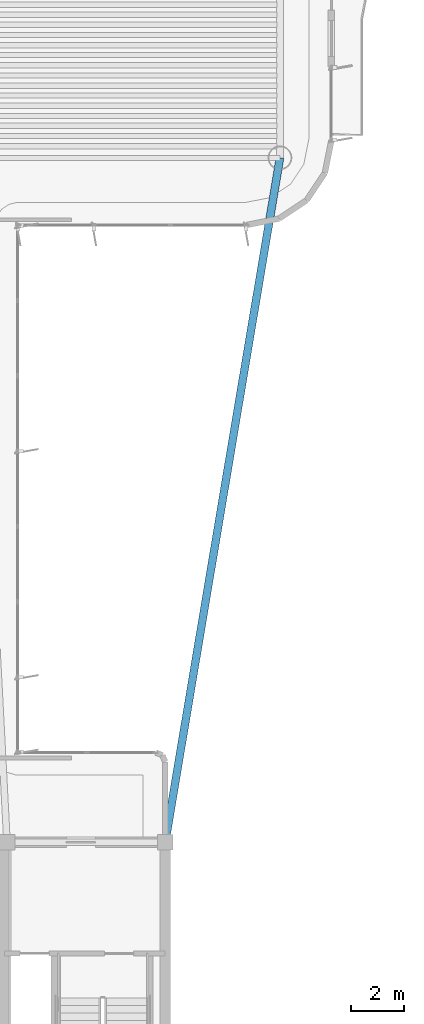
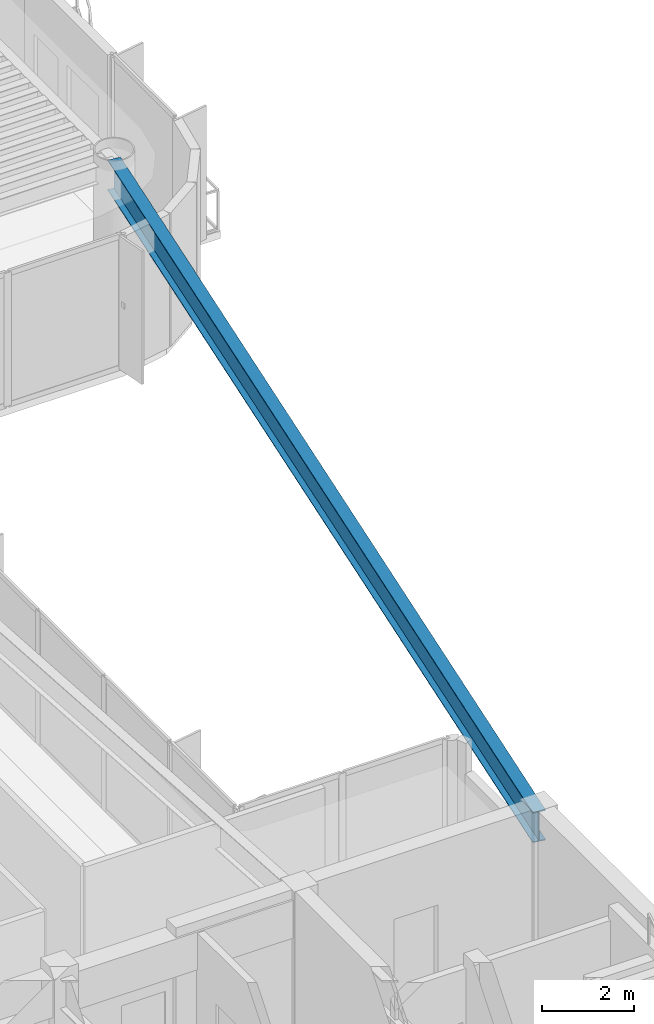
# One storey, part 4 of 14: 1 beam.
"""IFC4 building model written with IfcOpenShell, lengths in metres."""

from ifc_helpers import new_model, si_unit, direction, frame, origin, origin_2d, place, context, subcontext, project, spatial, i_section, extrude, source, transform, mapped, material, material_profile, profile_set, type_object, element, save


model = new_model("IFC4")

# Units and contexts
model_context = context("Model", 3, precision=1e-05, world=origin(), true_north=direction((0.0, 1.0)))
body_context = subcontext(model_context, "Body", "Model", "MODEL_VIEW")
ifc_project = project(units=[si_unit("LENGTHUNIT", "METRE"), si_unit("AREAUNIT", "SQUARE_METRE"), si_unit("VOLUMEUNIT", "CUBIC_METRE"), si_unit("PLANEANGLEUNIT", "RADIAN"), si_unit("MASSUNIT", "GRAM", prefix="KILO")], contexts=[model_context])

# Site, building, storey
site_placement = place(None, origin())
site = spatial("IfcSite", under=ifc_project, at=site_placement, CompositionType="ELEMENT")
building_placement = place(site_placement, origin())
building = spatial("IfcBuilding", under=site, at=building_placement, Name="Brelvock Crest Care Tower", CompositionType="ELEMENT")
storey_placement = place(building_placement, frame((0.0, 0.0, 257.0400390625)))
storey = spatial("IfcBuildingStorey", under=building, at=storey_placement, Name="L65", CompositionType="ELEMENT", Elevation=257.0400390625)

# Beam
ifc_material = material(Name="Steel Grade 350", Category="steel")
ifc_material_profile = material_profile(ifc_material, i_section(OverallWidth=0.300048828125, OverallDepth=0.800048828125, WebThickness=0.013916015625, FlangeThickness=0.02197265625, at=origin_2d()), Name="800WB192")
ifc_profile_set = profile_set([ifc_material_profile], Name="Steel Grade 350")
beam_type = type_object("IfcBeamType", Name="BM-G5", PredefinedType="BEAM", material=ifc_profile_set)
shared_shape = source(origin(), body_context, "Body", "SweptSolid", [
    extrude(i_section(OverallWidth=0.300048828125, OverallDepth=0.800048828125, WebThickness=0.013916015625, FlangeThickness=0.02197265625, at=origin_2d()), origin(), (0.0, 0.0, 1.0), 26.31201171875),
])
beam_placement = place(storey_placement, frame((48.0, 18.0, 3.1298828125), z_axis=(0.165327282709, 0.986238758918, 0.0), x_axis=(-0.986238758918, 0.165327282709, 0.0)))
element("IfcBeam", 1, at=beam_placement, inside=storey, type_object=beam_type, Name="BM-THRO-E-L65", PredefinedType="BEAM", context=body_context, shape_type="MappedRepresentation", body=[
    mapped(shared_shape, transform((0.0, 0.0, 0.0), x_axis=(1.0, 0.0, 0.0), y_axis=(0.0, 1.0, 0.0), z_axis=(0.0, 0.0, 1.0), scale=1.0)),
])

save(model, "model.ifc")
